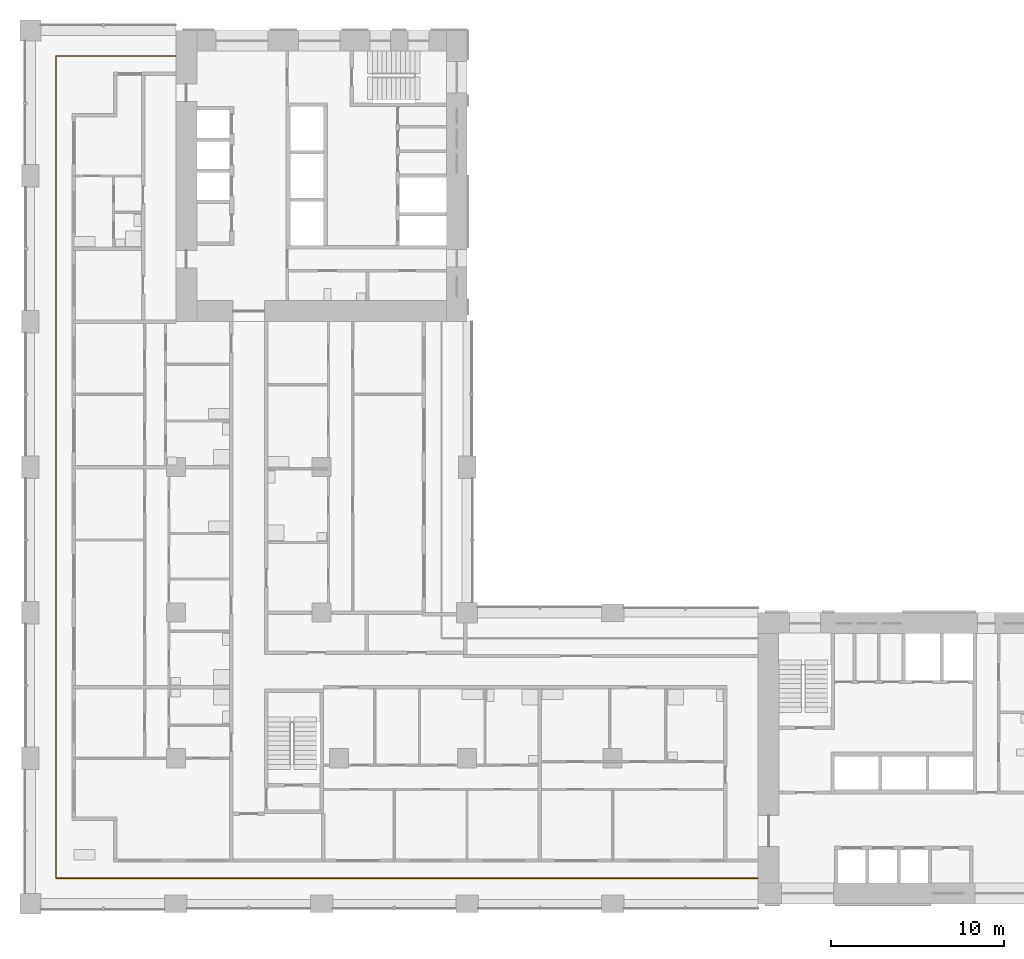
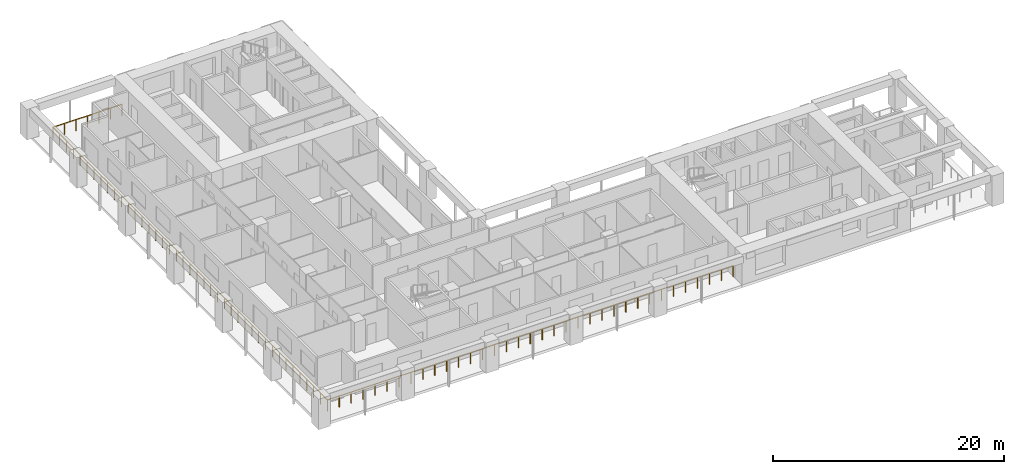
# One storey, part 10 of 17: 1 railing.
"""IFC4 building model written with IfcOpenShell, lengths in metres."""

from ifc_helpers import new_model, si_unit, direction, frame, origin, origin_2d, place, context, subcontext, project, spatial, circle, extrude, material, type_object, element, save


model = new_model("IFC4")

# Units and contexts
model_context = context("Model", 3, precision=1e-05, world=origin(), true_north=direction((0.0, 1.0)))
body_context = subcontext(model_context, "Body", "Model", "MODEL_VIEW")
ifc_project = project(units=[si_unit("LENGTHUNIT", "METRE"), si_unit("AREAUNIT", "SQUARE_METRE"), si_unit("VOLUMEUNIT", "CUBIC_METRE"), si_unit("PLANEANGLEUNIT", "RADIAN"), si_unit("MASSUNIT", "GRAM", prefix="KILO")], contexts=[model_context])

# Site, building, storey
site_placement = place(None, origin())
site = spatial("IfcSite", under=ifc_project, at=site_placement, CompositionType="ELEMENT")
building_placement = place(site_placement, origin())
building = spatial("IfcBuilding", under=site, at=building_placement, Name="Vermilion Gate Residences", CompositionType="ELEMENT")
storey_placement = place(building_placement, frame((0.0, 0.0, 112.699951171875)))
storey = spatial("IfcBuildingStorey", under=building, at=storey_placement, Name="L28", CompositionType="ELEMENT", Elevation=112.699951171875)

# Railing
ifc_material = material(Name="Stainless steel and toughened glass", Category="steel")
railing_type = type_object("IfcRailingType", Name="LOGGIA GUARD STEEL AND GLASS 1200", PredefinedType="GUARDRAIL", material=ifc_material)
railing_placement = place(storey_placement, frame((8.3779296875, 57.324951171875, 0.0)))
element("IfcRailing", 1, at=railing_placement, inside=storey, type_object=railing_type, Name="Loggia guard", PredefinedType="GUARDRAIL", context=body_context, shape_type="SweptSolid", body=[
    extrude(circle(Radius=0.030029296875, at=origin_2d()), frame((0.0, 0.0, 1.169921875), z_axis=(-1.0, 0.0, 0.0), x_axis=(0.0, -1.0, 0.0)), (0.0, 0.0, 1.0), 6.90283203125),
    extrude(circle(Radius=0.030029296875, at=origin_2d()), frame((-6.90283203125, 0.0, 1.169921875), z_axis=(0.0, -1.0, 0.0), x_axis=(1.0, 0.0, 0.0)), (0.0, 0.0, 1.0), 47.449951171875),
    extrude(circle(Radius=0.030029296875, at=origin_2d()), frame((-6.90283203125, -47.449951171875, 1.169921875), z_axis=(1.0, 0.0, 0.0), x_axis=(0.0, 1.0, 0.0)), (0.0, 0.0, 1.0), 40.5029296875),
    extrude(circle(Radius=0.02490234375, at=origin_2d()), origin(), (0.0, 0.0, 1.0), 1.139892578125),
    extrude(circle(Radius=0.02490234375, at=origin_2d()), frame((-1.150390625, 0.0, 0.0)), (0.0, 0.0, 1.0), 1.139892578125),
    extrude(circle(Radius=0.02490234375, at=origin_2d()), frame((-2.301025390625, 0.0, 0.0)), (0.0, 0.0, 1.0), 1.139892578125),
    extrude(circle(Radius=0.02490234375, at=origin_2d()), frame((-3.451416015625, 0.0, 0.0)), (0.0, 0.0, 1.0), 1.139892578125),
    extrude(circle(Radius=0.02490234375, at=origin_2d()), frame((-4.601806640625, 0.0, 0.0)), (0.0, 0.0, 1.0), 1.139892578125),
    extrude(circle(Radius=0.02490234375, at=origin_2d()), frame((-5.75244140625, 0.0, 0.0)), (0.0, 0.0, 1.0), 1.139892578125),
    extrude(circle(Radius=0.02490234375, at=origin_2d()), frame((-6.90283203125, 0.0, 0.0)), (0.0, 0.0, 1.0), 1.139892578125),
    extrude(circle(Radius=0.02490234375, at=origin_2d()), frame((-6.90283203125, -1.186279296875, 0.0)), (0.0, 0.0, 1.0), 1.139892578125),
    extrude(circle(Radius=0.02490234375, at=origin_2d()), frame((-6.90283203125, -2.37255859375, 0.0)), (0.0, 0.0, 1.0), 1.139892578125),
    extrude(circle(Radius=0.02490234375, at=origin_2d()), frame((-6.90283203125, -3.558837890625, 0.0)), (0.0, 0.0, 1.0), 1.139892578125),
    extrude(circle(Radius=0.02490234375, at=origin_2d()), frame((-6.90283203125, -4.7451171875, 0.0)), (0.0, 0.0, 1.0), 1.139892578125),
    extrude(circle(Radius=0.02490234375, at=origin_2d()), frame((-6.90283203125, -5.93115234375, 0.0)), (0.0, 0.0, 1.0), 1.139892578125),
    extrude(circle(Radius=0.02490234375, at=origin_2d()), frame((-6.90283203125, -7.117431640625, 0.0)), (0.0, 0.0, 1.0), 1.139892578125),
    extrude(circle(Radius=0.02490234375, at=origin_2d()), frame((-6.90283203125, -8.3037109375, 0.0)), (0.0, 0.0, 1.0), 1.139892578125),
    extrude(circle(Radius=0.02490234375, at=origin_2d()), frame((-6.90283203125, -9.489990234375, 0.0)), (0.0, 0.0, 1.0), 1.139892578125),
    extrude(circle(Radius=0.02490234375, at=origin_2d()), frame((-6.90283203125, -10.67626953125, 0.0)), (0.0, 0.0, 1.0), 1.139892578125),
    extrude(circle(Radius=0.02490234375, at=origin_2d()), frame((-6.90283203125, -11.862548828125, 0.0)), (0.0, 0.0, 1.0), 1.139892578125),
    extrude(circle(Radius=0.02490234375, at=origin_2d()), frame((-6.90283203125, -13.048828125, 0.0)), (0.0, 0.0, 1.0), 1.139892578125),
    extrude(circle(Radius=0.02490234375, at=origin_2d()), frame((-6.90283203125, -14.23486328125, 0.0)), (0.0, 0.0, 1.0), 1.139892578125),
    extrude(circle(Radius=0.02490234375, at=origin_2d()), frame((-6.90283203125, -15.421142578125, 0.0)), (0.0, 0.0, 1.0), 1.139892578125),
    extrude(circle(Radius=0.02490234375, at=origin_2d()), frame((-6.90283203125, -16.607421875, 0.0)), (0.0, 0.0, 1.0), 1.139892578125),
    extrude(circle(Radius=0.02490234375, at=origin_2d()), frame((-6.90283203125, -17.793701171875, 0.0)), (0.0, 0.0, 1.0), 1.139892578125),
    extrude(circle(Radius=0.02490234375, at=origin_2d()), frame((-6.90283203125, -18.97998046875, 0.0)), (0.0, 0.0, 1.0), 1.139892578125),
    extrude(circle(Radius=0.02490234375, at=origin_2d()), frame((-6.90283203125, -20.166259765625, 0.0)), (0.0, 0.0, 1.0), 1.139892578125),
    extrude(circle(Radius=0.02490234375, at=origin_2d()), frame((-6.90283203125, -21.3525390625, 0.0)), (0.0, 0.0, 1.0), 1.139892578125),
    extrude(circle(Radius=0.02490234375, at=origin_2d()), frame((-6.90283203125, -22.538818359375, 0.0)), (0.0, 0.0, 1.0), 1.139892578125),
    extrude(circle(Radius=0.02490234375, at=origin_2d()), frame((-6.90283203125, -23.72509765625, 0.0)), (0.0, 0.0, 1.0), 1.139892578125),
    extrude(circle(Radius=0.02490234375, at=origin_2d()), frame((-6.90283203125, -24.9111328125, 0.0)), (0.0, 0.0, 1.0), 1.139892578125),
    extrude(circle(Radius=0.02490234375, at=origin_2d()), frame((-6.90283203125, -26.097412109375, 0.0)), (0.0, 0.0, 1.0), 1.139892578125),
    extrude(circle(Radius=0.02490234375, at=origin_2d()), frame((-6.90283203125, -27.28369140625, 0.0)), (0.0, 0.0, 1.0), 1.139892578125),
    extrude(circle(Radius=0.02490234375, at=origin_2d()), frame((-6.90283203125, -28.469970703125, 0.0)), (0.0, 0.0, 1.0), 1.139892578125),
    extrude(circle(Radius=0.02490234375, at=origin_2d()), frame((-6.90283203125, -29.65625, 0.0)), (0.0, 0.0, 1.0), 1.139892578125),
    extrude(circle(Radius=0.02490234375, at=origin_2d()), frame((-6.90283203125, -30.842529296875, 0.0)), (0.0, 0.0, 1.0), 1.139892578125),
    extrude(circle(Radius=0.02490234375, at=origin_2d()), frame((-6.90283203125, -32.02880859375, 0.0)), (0.0, 0.0, 1.0), 1.139892578125),
    extrude(circle(Radius=0.02490234375, at=origin_2d()), frame((-6.90283203125, -33.21484375, 0.0)), (0.0, 0.0, 1.0), 1.139892578125),
    extrude(circle(Radius=0.02490234375, at=origin_2d()), frame((-6.90283203125, -34.401123046875, 0.0)), (0.0, 0.0, 1.0), 1.139892578125),
    extrude(circle(Radius=0.02490234375, at=origin_2d()), frame((-6.90283203125, -35.58740234375, 0.0)), (0.0, 0.0, 1.0), 1.139892578125),
    extrude(circle(Radius=0.02490234375, at=origin_2d()), frame((-6.90283203125, -36.773681640625, 0.0)), (0.0, 0.0, 1.0), 1.139892578125),
    extrude(circle(Radius=0.02490234375, at=origin_2d()), frame((-6.90283203125, -37.9599609375, 0.0)), (0.0, 0.0, 1.0), 1.139892578125),
    extrude(circle(Radius=0.02490234375, at=origin_2d()), frame((-6.90283203125, -39.146240234375, 0.0)), (0.0, 0.0, 1.0), 1.139892578125),
    extrude(circle(Radius=0.02490234375, at=origin_2d()), frame((-6.90283203125, -40.33251953125, 0.0)), (0.0, 0.0, 1.0), 1.139892578125),
    extrude(circle(Radius=0.02490234375, at=origin_2d()), frame((-6.90283203125, -41.518798828125, 0.0)), (0.0, 0.0, 1.0), 1.139892578125),
    extrude(circle(Radius=0.02490234375, at=origin_2d()), frame((-6.90283203125, -42.705078125, 0.0)), (0.0, 0.0, 1.0), 1.139892578125),
    extrude(circle(Radius=0.02490234375, at=origin_2d()), frame((-6.90283203125, -43.89111328125, 0.0)), (0.0, 0.0, 1.0), 1.139892578125),
    extrude(circle(Radius=0.02490234375, at=origin_2d()), frame((-6.90283203125, -45.077392578125, 0.0)), (0.0, 0.0, 1.0), 1.139892578125),
    extrude(circle(Radius=0.02490234375, at=origin_2d()), frame((-6.90283203125, -46.263671875, 0.0)), (0.0, 0.0, 1.0), 1.139892578125),
    extrude(circle(Radius=0.02490234375, at=origin_2d()), frame((-6.90283203125, -47.449951171875, 0.0)), (0.0, 0.0, 1.0), 1.139892578125),
    extrude(circle(Radius=0.02490234375, at=origin_2d()), frame((-5.711669921875, -47.449951171875, 0.0)), (0.0, 0.0, 1.0), 1.139892578125),
    extrude(circle(Radius=0.02490234375, at=origin_2d()), frame((-4.520263671875, -47.449951171875, 0.0)), (0.0, 0.0, 1.0), 1.139892578125),
    extrude(circle(Radius=0.02490234375, at=origin_2d()), frame((-3.3291015625, -47.449951171875, 0.0)), (0.0, 0.0, 1.0), 1.139892578125),
    extrude(circle(Radius=0.02490234375, at=origin_2d()), frame((-2.1376953125, -47.449951171875, 0.0)), (0.0, 0.0, 1.0), 1.139892578125),
    extrude(circle(Radius=0.02490234375, at=origin_2d()), frame((-0.946533203125, -47.449951171875, 0.0)), (0.0, 0.0, 1.0), 1.139892578125),
    extrude(circle(Radius=0.02490234375, at=origin_2d()), frame((0.24462890625, -47.449951171875, 0.0)), (0.0, 0.0, 1.0), 1.139892578125),
    extrude(circle(Radius=0.02490234375, at=origin_2d()), frame((1.43603515625, -47.449951171875, 0.0)), (0.0, 0.0, 1.0), 1.139892578125),
    extrude(circle(Radius=0.02490234375, at=origin_2d()), frame((2.627197265625, -47.449951171875, 0.0)), (0.0, 0.0, 1.0), 1.139892578125),
    extrude(circle(Radius=0.02490234375, at=origin_2d()), frame((3.818603515625, -47.449951171875, 0.0)), (0.0, 0.0, 1.0), 1.139892578125),
    extrude(circle(Radius=0.02490234375, at=origin_2d()), frame((5.009765625, -47.449951171875, 0.0)), (0.0, 0.0, 1.0), 1.139892578125),
    extrude(circle(Radius=0.02490234375, at=origin_2d()), frame((6.201171875, -47.449951171875, 0.0)), (0.0, 0.0, 1.0), 1.139892578125),
    extrude(circle(Radius=0.02490234375, at=origin_2d()), frame((7.392333984375, -47.449951171875, 0.0)), (0.0, 0.0, 1.0), 1.139892578125),
    extrude(circle(Radius=0.02490234375, at=origin_2d()), frame((8.58349609375, -47.449951171875, 0.0)), (0.0, 0.0, 1.0), 1.139892578125),
    extrude(circle(Radius=0.02490234375, at=origin_2d()), frame((9.77490234375, -47.449951171875, 0.0)), (0.0, 0.0, 1.0), 1.139892578125),
    extrude(circle(Radius=0.02490234375, at=origin_2d()), frame((10.966064453125, -47.449951171875, 0.0)), (0.0, 0.0, 1.0), 1.139892578125),
    extrude(circle(Radius=0.02490234375, at=origin_2d()), frame((12.157470703125, -47.449951171875, 0.0)), (0.0, 0.0, 1.0), 1.139892578125),
    extrude(circle(Radius=0.02490234375, at=origin_2d()), frame((13.3486328125, -47.449951171875, 0.0)), (0.0, 0.0, 1.0), 1.139892578125),
    extrude(circle(Radius=0.02490234375, at=origin_2d()), frame((14.539794921875, -47.449951171875, 0.0)), (0.0, 0.0, 1.0), 1.139892578125),
    extrude(circle(Radius=0.02490234375, at=origin_2d()), frame((15.731201171875, -47.449951171875, 0.0)), (0.0, 0.0, 1.0), 1.139892578125),
    extrude(circle(Radius=0.02490234375, at=origin_2d()), frame((16.92236328125, -47.449951171875, 0.0)), (0.0, 0.0, 1.0), 1.139892578125),
    extrude(circle(Radius=0.02490234375, at=origin_2d()), frame((18.11376953125, -47.449951171875, 0.0)), (0.0, 0.0, 1.0), 1.139892578125),
    extrude(circle(Radius=0.02490234375, at=origin_2d()), frame((19.304931640625, -47.449951171875, 0.0)), (0.0, 0.0, 1.0), 1.139892578125),
    extrude(circle(Radius=0.02490234375, at=origin_2d()), frame((20.49609375, -47.449951171875, 0.0)), (0.0, 0.0, 1.0), 1.139892578125),
    extrude(circle(Radius=0.02490234375, at=origin_2d()), frame((21.6875, -47.449951171875, 0.0)), (0.0, 0.0, 1.0), 1.139892578125),
    extrude(circle(Radius=0.02490234375, at=origin_2d()), frame((22.878662109375, -47.449951171875, 0.0)), (0.0, 0.0, 1.0), 1.139892578125),
    extrude(circle(Radius=0.02490234375, at=origin_2d()), frame((24.070068359375, -47.449951171875, 0.0)), (0.0, 0.0, 1.0), 1.139892578125),
    extrude(circle(Radius=0.02490234375, at=origin_2d()), frame((25.26123046875, -47.449951171875, 0.0)), (0.0, 0.0, 1.0), 1.139892578125),
    extrude(circle(Radius=0.02490234375, at=origin_2d()), frame((26.45263671875, -47.449951171875, 0.0)), (0.0, 0.0, 1.0), 1.139892578125),
    extrude(circle(Radius=0.02490234375, at=origin_2d()), frame((27.643798828125, -47.449951171875, 0.0)), (0.0, 0.0, 1.0), 1.139892578125),
    extrude(circle(Radius=0.02490234375, at=origin_2d()), frame((28.8349609375, -47.449951171875, 0.0)), (0.0, 0.0, 1.0), 1.139892578125),
    extrude(circle(Radius=0.02490234375, at=origin_2d()), frame((30.0263671875, -47.449951171875, 0.0)), (0.0, 0.0, 1.0), 1.139892578125),
    extrude(circle(Radius=0.02490234375, at=origin_2d()), frame((31.217529296875, -47.449951171875, 0.0)), (0.0, 0.0, 1.0), 1.139892578125),
    extrude(circle(Radius=0.02490234375, at=origin_2d()), frame((32.408935546875, -47.449951171875, 0.0)), (0.0, 0.0, 1.0), 1.139892578125),
    extrude(circle(Radius=0.02490234375, at=origin_2d()), frame((33.60009765625, -47.449951171875, 0.0)), (0.0, 0.0, 1.0), 1.139892578125),
])

save(model, "model.ifc")
